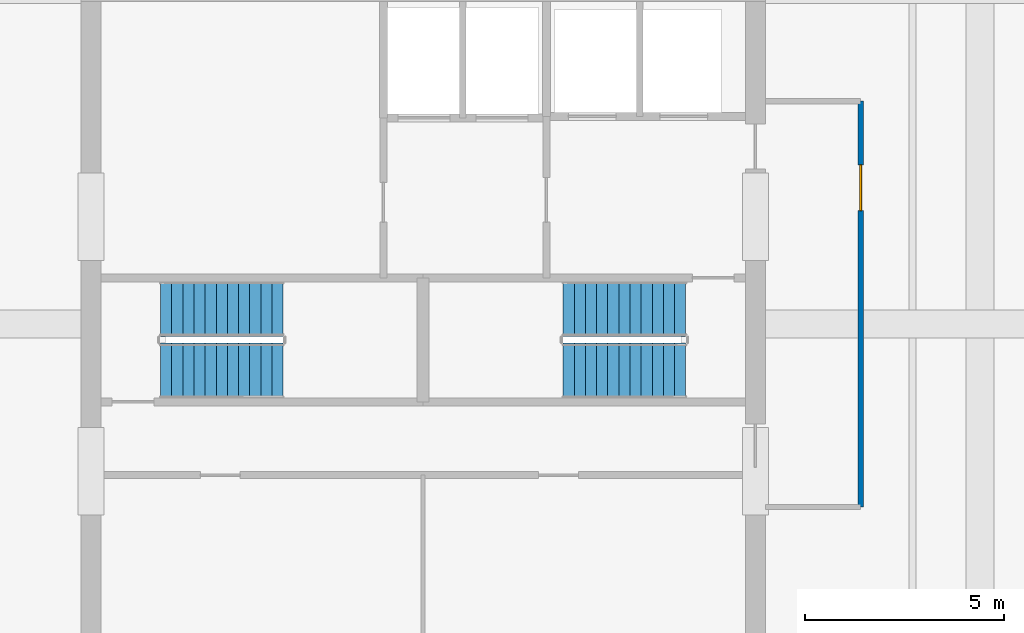
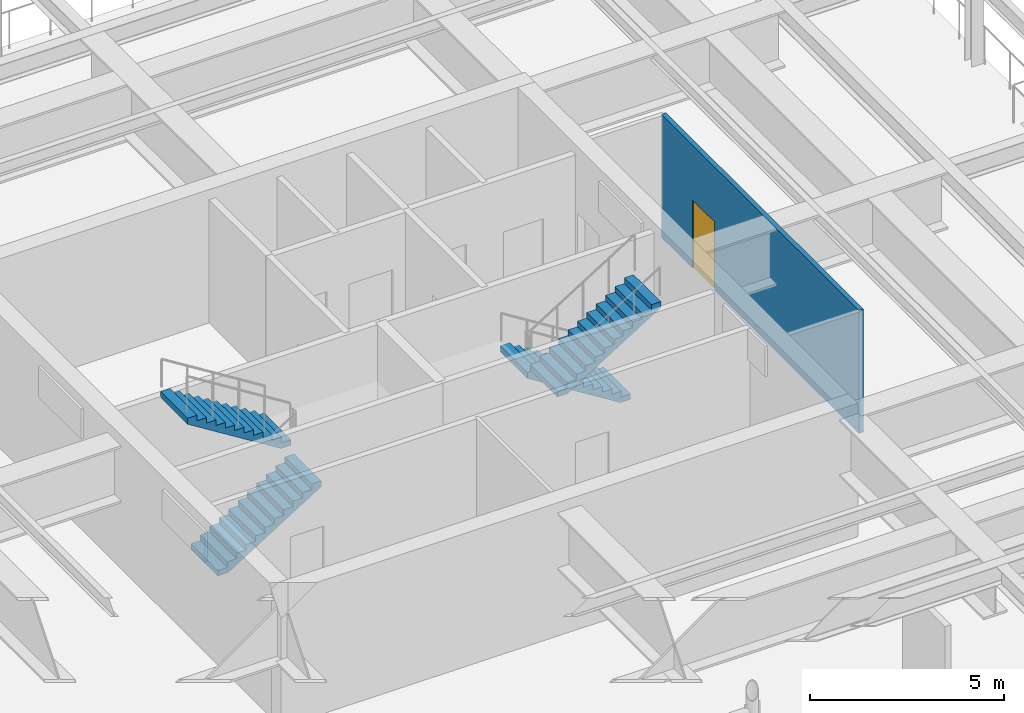
# One storey, part 9 of 12: 4 stair flights, 1 door, 1 wall, 1 opening, 2 elements without a shape of their own.
"""IFC4 building model written with IfcOpenShell, lengths in metres."""

from ifc_helpers import new_model, si_unit, direction, frame, frame_2d, origin, place, context, subcontext, project, spatial, polyline, rectangle, outline, extrude, material, layer, layer_set, type_object, element, fill, aggregate, save


model = new_model("IFC4")

# Units and contexts
model_context = context("Model", 3, precision=1e-05, world=origin(), true_north=direction((0.0, 1.0)))
body_context = subcontext(model_context, "Body", "Model", "MODEL_VIEW")
ifc_project = project(units=[si_unit("LENGTHUNIT", "METRE"), si_unit("AREAUNIT", "SQUARE_METRE"), si_unit("VOLUMEUNIT", "CUBIC_METRE"), si_unit("PLANEANGLEUNIT", "RADIAN"), si_unit("MASSUNIT", "GRAM", prefix="KILO")], contexts=[model_context])

# Site, building, storey
site_placement = place(None, origin())
site = spatial("IfcSite", under=ifc_project, at=site_placement, CompositionType="ELEMENT")
building_placement = place(site_placement, origin())
building = spatial("IfcBuilding", under=site, at=building_placement, Name="Drelvath Grand Hotel", CompositionType="ELEMENT")
storey_placement = place(building_placement, frame((0.0, 0.0, 307.199951171875)))
storey = spatial("IfcBuildingStorey", under=building, at=storey_placement, Name="L80", CompositionType="ELEMENT", Elevation=307.199951171875)

# Wall, opening, door
ifc_material_1 = material(Name="Gypsum Fireboard Partition")
ifc_layer = layer(ifc_material_1, 0.135009765625)
ifc_layer_set = layer_set([ifc_layer], Name="Gypsum Fireboard Partition")
wall_type = type_object("IfcWallType", Name="Corridor Fire Barrier Wall 135", PredefinedType="PARTITIONING", material=ifc_layer_set)
wall_placement = place(storey_placement, frame((11.0, 32.60009765625, 0.0), z_axis=(0.0, 0.0, 1.0), x_axis=(0.0, -1.0, 0.0)))
wall = element("IfcWall", 1, at=wall_placement, inside=storey, type_object=wall_type, Name="L80 Turbine Vestibule East Weather Wall", PredefinedType="PARTITIONING", context=body_context, shape_type="SweptSolid", body=[
    extrude(rectangle(XDim=10.2001953125, YDim=0.135009765625, at=frame_2d((5.10009765625, 0.0))), origin(), (0.0, 0.0, 1.0), 3.880126953125),
])
opening_placement = place(wall_placement, frame((1.60009765625, 0.0, 0.0)))
opening = element("IfcOpeningElement", 2, at=opening_placement, cuts=wall, Name="Opening D-L80-013", PredefinedType="OPENING", context=body_context, shape_type="SweptSolid", body=[
    extrude(rectangle(XDim=1.14990234375, YDim=2.14990234375, at=frame_2d((0.574951171875, 1.074951171875))), frame((0.0, 0.077392578125, 0.0), z_axis=(0.0, -1.0, 0.0), x_axis=(1.0, 0.0, 0.0)), (0.0, 0.0, 1.0), 0.155029296875),
])
ifc_material_2 = material(Name="Painted Steel S275", Category="steel")
door_type = type_object("IfcDoorType", Name="Podium Stairwell Fire Door 1150x2150", OperationType="NOTDEFINED", PredefinedType="DOOR", material=ifc_material_2)
door_placement = place(opening_placement, origin())
door = element("IfcDoor", 3, at=door_placement, inside=storey, type_object=door_type, Name="L80 Turbine Deck Weatherproof Door", OperationType="SINGLE_SWING_LEFT", OverallHeight=2.14990234375, OverallWidth=1.14990234375, PredefinedType="DOOR", context=body_context, shape_type="SweptSolid", body=[
    extrude(rectangle(XDim=1.14990234375, YDim=2.14990234375, at=frame_2d((0.574951171875, 1.074951171875))), frame((0.0, 0.02490234375, 0.0), z_axis=(0.0, -1.0, 0.0), x_axis=(1.0, 0.0, 0.0)), (0.0, 0.0, 1.0), 0.050048828125),
])
fill(opening, door)

# Stair, stair flights
ifc_material_3 = material(Name="Concrete C40/50", Category="concrete")
stair_type = type_object("IfcStairType", Name="Dogleg Exit Stair W1400-R175.0", PredefinedType="HALF_TURN_STAIR", material=ifc_material_3)
stair_1_placement = place(storey_placement, origin())
stair_1 = element("IfcStair", 4, at=stair_1_placement, inside=storey, type_object=stair_type, Name="L80 Core Exit Stair ST-1", PredefinedType="HALF_TURN_STAIR")
stair_flight_type = type_object("IfcStairFlightType", Name="Concrete Stair Flight W1400-R175.0", PredefinedType="STRAIGHT", material=ifc_material_3)
stair_flight_1_placement = place(storey_placement, frame((-6.60009765625, 25.820068359375, 0.0), z_axis=(0.0, 0.0, 1.0), x_axis=(1.0, 0.0, 0.0)))
stair_flight_1 = element("IfcStairFlight", 5, at=stair_flight_1_placement, type_object=stair_flight_type, Name="ST-1 flight 1", NumberOfRisers=12, NumberOfTreads=11, PredefinedType="STRAIGHT", RiserHeight=0.175, TreadLength=0.28, context=body_context, shape_type="SweptSolid", body=[
    extrude(outline(polyline([(0.0, 0.0), (0.0, 0.175048828125), (0.280029296875, 0.175048828125), (0.280029296875, 0.35009765625), (0.56005859375, 0.35009765625), (0.56005859375, 0.52490234375), (0.840087890625, 0.52490234375), (0.840087890625, 0.699951171875), (1.1201171875, 0.699951171875), (1.1201171875, 0.875), (1.39990234375, 0.875), (1.39990234375, 1.050048828125), (1.679931640625, 1.050048828125), (1.679931640625, 1.22509765625), (1.9599609375, 1.22509765625), (1.9599609375, 1.39990234375), (2.239990234375, 1.39990234375), (2.239990234375, 1.574951171875), (2.52001953125, 1.574951171875), (2.52001953125, 1.75), (2.800048828125, 1.75), (2.800048828125, 1.925048828125), (3.080078125, 1.925048828125), (3.080078125, 2.10009765625), (3.080078125, 1.736328125), (0.3017578125, 0.0), (0.0, 0.0)])), frame((0.0, 0.699951171875, 0.0), z_axis=(0.0, -1.0, 0.0), x_axis=(1.0, 0.0, 0.0)), (0.0, 0.0, 1.0), 1.39990234375),
])
stair_flight_2_placement = place(storey_placement, frame((-3.52001953125, 27.3798828125, 2.10009765625), z_axis=(0.0, 0.0, 1.0), x_axis=(-1.0, 0.0, 0.0)))
stair_flight_2 = element("IfcStairFlight", 6, at=stair_flight_2_placement, type_object=stair_flight_type, Name="ST-1 flight 2", NumberOfRisers=12, NumberOfTreads=11, PredefinedType="STRAIGHT", RiserHeight=0.175, TreadLength=0.28, context=body_context, shape_type="SweptSolid", body=[
    extrude(outline(polyline([(0.0, 0.0), (0.0, 0.175048828125), (0.280029296875, 0.175048828125), (0.280029296875, 0.35009765625), (0.56005859375, 0.35009765625), (0.56005859375, 0.52490234375), (0.840087890625, 0.52490234375), (0.840087890625, 0.699951171875), (1.1201171875, 0.699951171875), (1.1201171875, 0.875), (1.39990234375, 0.875), (1.39990234375, 1.050048828125), (1.679931640625, 1.050048828125), (1.679931640625, 1.22509765625), (1.9599609375, 1.22509765625), (1.9599609375, 1.39990234375), (2.239990234375, 1.39990234375), (2.239990234375, 1.574951171875), (2.52001953125, 1.574951171875), (2.52001953125, 1.75), (2.800048828125, 1.75), (2.800048828125, 1.925048828125), (3.080078125, 1.925048828125), (3.080078125, 2.10009765625), (3.080078125, 1.736328125), (0.3017578125, 0.0), (0.0, 0.0)])), frame((0.0, 0.699951171875, 0.0), z_axis=(0.0, -1.0, 0.0), x_axis=(1.0, 0.0, 0.0)), (0.0, 0.0, 1.0), 1.39990234375),
])
aggregate(stair_1, [stair_flight_1, stair_flight_2])

stair_2_placement = place(storey_placement, origin())
stair_2 = element("IfcStair", 7, at=stair_2_placement, inside=storey, type_object=stair_type, Name="L80 Core Exit Stair ST-2", PredefinedType="HALF_TURN_STAIR")
stair_flight_3_placement = place(storey_placement, frame((6.60009765625, 27.3798828125, 0.0), z_axis=(0.0, 0.0, 1.0), x_axis=(-1.0, 0.0, 0.0)))
stair_flight_3 = element("IfcStairFlight", 8, at=stair_flight_3_placement, type_object=stair_flight_type, Name="ST-2 flight 1", NumberOfRisers=12, NumberOfTreads=11, PredefinedType="STRAIGHT", RiserHeight=0.175, TreadLength=0.28, context=body_context, shape_type="SweptSolid", body=[
    extrude(outline(polyline([(0.0, 0.0), (0.0, 0.175048828125), (0.280029296875, 0.175048828125), (0.280029296875, 0.35009765625), (0.56005859375, 0.35009765625), (0.56005859375, 0.52490234375), (0.840087890625, 0.52490234375), (0.840087890625, 0.699951171875), (1.1201171875, 0.699951171875), (1.1201171875, 0.875), (1.39990234375, 0.875), (1.39990234375, 1.050048828125), (1.679931640625, 1.050048828125), (1.679931640625, 1.22509765625), (1.9599609375, 1.22509765625), (1.9599609375, 1.39990234375), (2.239990234375, 1.39990234375), (2.239990234375, 1.574951171875), (2.52001953125, 1.574951171875), (2.52001953125, 1.75), (2.800048828125, 1.75), (2.800048828125, 1.925048828125), (3.080078125, 1.925048828125), (3.080078125, 2.10009765625), (3.080078125, 1.736328125), (0.3017578125, 0.0), (0.0, 0.0)])), frame((0.0, 0.699951171875, 0.0), z_axis=(0.0, -1.0, 0.0), x_axis=(1.0, 0.0, 0.0)), (0.0, 0.0, 1.0), 1.39990234375),
])
stair_flight_4_placement = place(storey_placement, frame((3.52001953125, 25.820068359375, 2.10009765625), z_axis=(0.0, 0.0, 1.0), x_axis=(1.0, 0.0, 0.0)))
stair_flight_4 = element("IfcStairFlight", 9, at=stair_flight_4_placement, type_object=stair_flight_type, Name="ST-2 flight 2", NumberOfRisers=12, NumberOfTreads=11, PredefinedType="STRAIGHT", RiserHeight=0.175, TreadLength=0.28, context=body_context, shape_type="SweptSolid", body=[
    extrude(outline(polyline([(0.0, 0.0), (0.0, 0.175048828125), (0.280029296875, 0.175048828125), (0.280029296875, 0.35009765625), (0.56005859375, 0.35009765625), (0.56005859375, 0.52490234375), (0.840087890625, 0.52490234375), (0.840087890625, 0.699951171875), (1.1201171875, 0.699951171875), (1.1201171875, 0.875), (1.39990234375, 0.875), (1.39990234375, 1.050048828125), (1.679931640625, 1.050048828125), (1.679931640625, 1.22509765625), (1.9599609375, 1.22509765625), (1.9599609375, 1.39990234375), (2.239990234375, 1.39990234375), (2.239990234375, 1.574951171875), (2.52001953125, 1.574951171875), (2.52001953125, 1.75), (2.800048828125, 1.75), (2.800048828125, 1.925048828125), (3.080078125, 1.925048828125), (3.080078125, 2.10009765625), (3.080078125, 1.736328125), (0.3017578125, 0.0), (0.0, 0.0)])), frame((0.0, 0.699951171875, 0.0), z_axis=(0.0, -1.0, 0.0), x_axis=(1.0, 0.0, 0.0)), (0.0, 0.0, 1.0), 1.39990234375),
])
aggregate(stair_2, [stair_flight_3, stair_flight_4])

save(model, "model.ifc")
